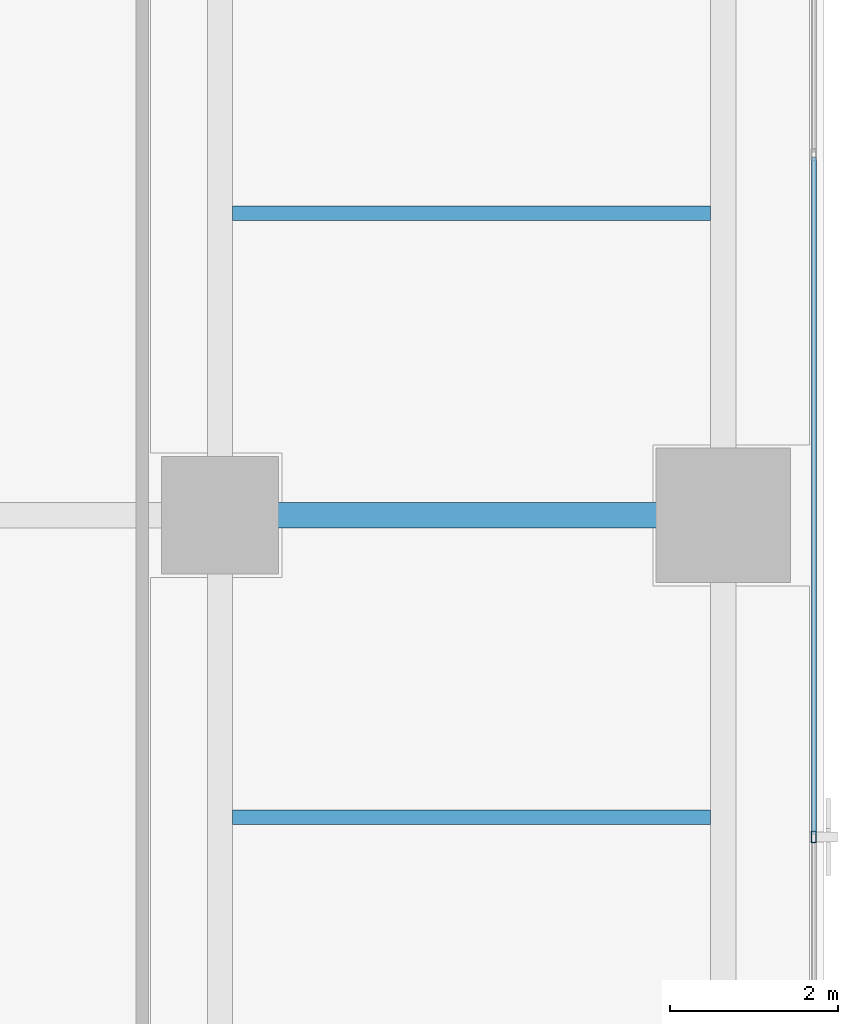
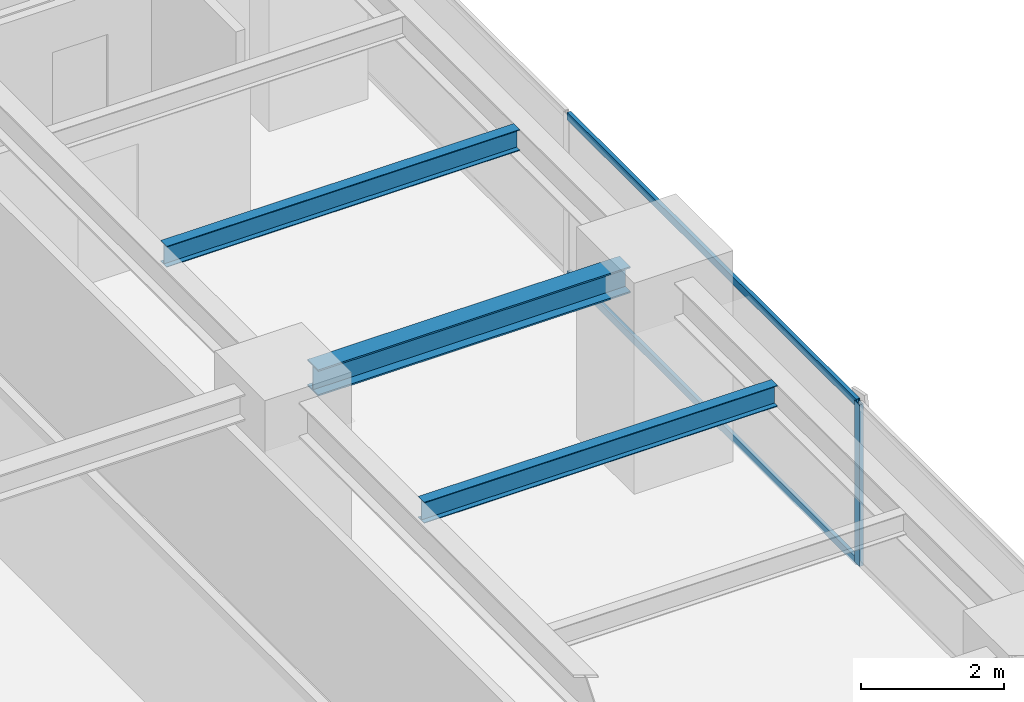
# One storey, part 15 of 29: 3 beams, 3 members, 1 element without a shape of its own.
"""IFC4 building model written with IfcOpenShell, lengths in metres."""

from ifc_helpers import new_model, si_unit, direction, frame, origin, origin_2d, place, context, subcontext, project, spatial, hollow_rectangle, i_section, extrude, source, transform, mapped, material, layer, layer_set, material_profile, profile_set, type_object, element, aggregate, save


model = new_model("IFC4")

# Units and contexts
model_context = context("Model", 3, precision=1e-05, world=origin(), true_north=direction((0.0, 1.0)))
body_context = subcontext(model_context, "Body", "Model", "MODEL_VIEW")
ifc_project = project(units=[si_unit("LENGTHUNIT", "METRE"), si_unit("AREAUNIT", "SQUARE_METRE"), si_unit("VOLUMEUNIT", "CUBIC_METRE"), si_unit("PLANEANGLEUNIT", "RADIAN"), si_unit("MASSUNIT", "GRAM", prefix="KILO")], contexts=[model_context])

# Site, building, storey
site_placement = place(None, origin())
site = spatial("IfcSite", under=ifc_project, at=site_placement, CompositionType="ELEMENT")
building_placement = place(site_placement, origin())
building = spatial("IfcBuilding", under=site, at=building_placement, Name="Sumidabori Civic Tower", CompositionType="ELEMENT")
storey_placement = place(building_placement, frame((0.0, 0.0, 214.39990234375)))
storey = spatial("IfcBuildingStorey", under=building, at=storey_placement, Name="L55", CompositionType="ELEMENT", Elevation=214.39990234375)

# Beams
ifc_material_1 = material(Name="Steel SN490", Category="steel")
ifc_material_profile_1 = material_profile(ifc_material_1, i_section(OverallWidth=0.169921875, OverallDepth=0.360107421875, WebThickness=0.008056640625, FlangeThickness=0.0126953125, at=origin_2d()), Name="IPE 360")
ifc_profile_set_1 = profile_set([ifc_material_profile_1], Name="Steel SN490")
beam_type_1 = type_object("IfcBeamType", Name="BM-JST-360", PredefinedType="JOIST", material=ifc_profile_set_1)
shared_shape_1 = source(origin(), body_context, "Body", "SweptSolid", [
    extrude(i_section(OverallWidth=0.169921875, OverallDepth=0.360107421875, WebThickness=0.008056640625, FlangeThickness=0.0126953125, at=origin_2d()), origin(), (0.0, 0.0, 1.0), 5.699951171875),
])
for number, where, z_axis, x_axis, name in (
    (1, (16.949951171875, -3.60009765625, 3.2001953125), (1.0, 0.0, 0.0), (0.0, 1.0, 0.0), "Outer Bay Floor Joist L55 JSTO-28"),
    (2, (16.949951171875, 3.60009765625, 3.2001953125), (1.0, 0.0, 0.0), (0.0, 1.0, 0.0), "Outer Bay Floor Joist L55 JSTO-30"),
):
    element("IfcBeam", number, at=place(storey_placement, frame(where, z_axis=z_axis, x_axis=x_axis)), inside=storey, type_object=beam_type_1, Name=name, PredefinedType="JOIST", context=body_context, shape_type="MappedRepresentation", body=[
        mapped(shared_shape_1, transform((0.0, 0.0, 0.0), x_axis=(1.0, 0.0, 0.0), y_axis=(0.0, 1.0, 0.0), z_axis=(0.0, 0.0, 1.0), scale=1.0)),
    ])
ifc_material_profile_2 = material_profile(ifc_material_1, i_section(OverallWidth=0.300048828125, OverallDepth=0.449951171875, WebThickness=0.013916015625, FlangeThickness=0.02587890625, at=origin_2d()), Name="HE 450 B")
ifc_profile_set_2 = profile_set([ifc_material_profile_2], Name="Steel SN490")
beam_type_2 = type_object("IfcBeamType", Name="BM-GIRD-450", PredefinedType="BEAM", material=ifc_profile_set_2)
shared_shape_2 = source(origin(), body_context, "Body", "SweptSolid", [
    extrude(i_section(OverallWidth=0.300048828125, OverallDepth=0.449951171875, WebThickness=0.013916015625, FlangeThickness=0.02587890625, at=origin_2d()), origin(), (0.0, 0.0, 1.0), 5.0400390625),
])
beam_placement = place(storey_placement, frame((17.280029296875, 0.0, 3.155029296875), z_axis=(1.0, 0.0, 0.0), x_axis=(0.0, 1.0, 0.0)))
element("IfcBeam", 3, at=beam_placement, inside=storey, type_object=beam_type_2, Name="Primary Girder L55 GX-08", PredefinedType="BEAM", context=body_context, shape_type="MappedRepresentation", body=[
    mapped(shared_shape_2, transform((0.0, 0.0, 0.0), x_axis=(1.0, 0.0, 0.0), y_axis=(0.0, 1.0, 0.0), z_axis=(0.0, 0.0, 1.0), scale=1.0)),
])

# Curtain wall, members
ifc_material_2 = material(Name="Anodised Bronze Aluminium AW-6063-T6", Category="aluminium")
ifc_layer = layer(ifc_material_2, 0.179931640625, Name="Anodised Bronze Aluminium AW-6063-T6")
ifc_layer_set = layer_set([ifc_layer], Name="Anodised Bronze Aluminium AW-6063-T6")
curtain_wall_type = type_object("IfcCurtainWallType", Name="CW-SYS-5", PredefinedType="NOTDEFINED", material=ifc_layer_set)
curtain_wall_placement = place(storey_placement, origin())
curtain_wall = element("IfcCurtainWall", 4, at=curtain_wall_placement, inside=storey, type_object=curtain_wall_type, Name="Curtain Wall CW:L55:R10", PredefinedType="NOTDEFINED")
ifc_material_profile_3 = material_profile(ifc_material_2, hollow_rectangle(XDim=0.06005859375, YDim=0.139892578125, WallThickness=0.0048828125, at=origin_2d()), Name="ALU MULLION 140x60")
ifc_profile_set_3 = profile_set([ifc_material_profile_3], Name="Anodised Bronze Aluminium AW-6063-T6")
member_type_1 = type_object("IfcMemberType", Name="CW-MUL-140", PredefinedType="MULLION", material=ifc_profile_set_3)
shared_shape_3 = source(origin(), body_context, "Body", "SweptSolid", [
    extrude(hollow_rectangle(XDim=0.06005859375, YDim=0.139892578125, WallThickness=0.0048828125, at=origin_2d()), origin(), (0.0, 0.0, 1.0), 2.760009765625),
])
member_1_placement = place(storey_placement, frame((23.8798828125, -3.8349609375, 0.0), z_axis=(0.0, 0.0, 1.0), x_axis=(-1.0, 0.0, 0.0)))
member_1 = element("IfcMember", 5, at=member_1_placement, type_object=member_type_1, Name="CW-5 mullion 2", PredefinedType="MULLION", context=body_context, shape_type="MappedRepresentation", body=[
    mapped(shared_shape_3, transform((0.0, 0.0, 0.0), x_axis=(1.0, 0.0, 0.0), y_axis=(0.0, 1.0, 0.0), z_axis=(0.0, 0.0, 1.0), scale=1.0)),
])
ifc_material_profile_4 = material_profile(ifc_material_2, hollow_rectangle(XDim=0.06005859375, YDim=0.1298828125, WallThickness=0.0048828125, at=origin_2d()), Name="ALU TRANSOM 130x60")
ifc_profile_set_4 = profile_set([ifc_material_profile_4], Name="Anodised Bronze Aluminium AW-6063-T6")
member_type_2 = type_object("IfcMemberType", Name="CW-TRN-130", PredefinedType="USERDEFINED", material=ifc_profile_set_4)
shared_shape_4 = source(origin(), body_context, "Body", "SweptSolid", [
    extrude(hollow_rectangle(XDim=0.06005859375, YDim=0.1298828125, WallThickness=0.0048828125, at=origin_2d()), origin(), (0.0, 0.0, 1.0), 8.074951171875),
])
member_2_placement = place(storey_placement, frame((23.8798828125, -3.804931640625, 0.030029296875), z_axis=(0.0, 1.0, 0.0), x_axis=(-1.0, 0.0, 0.0)))
member_2 = element("IfcMember", 6, at=member_2_placement, type_object=member_type_2, Name="CW-5 transom 2.1", ObjectType="TRANSOM", PredefinedType="USERDEFINED", context=body_context, shape_type="MappedRepresentation", body=[
    mapped(shared_shape_4, transform((0.0, 0.0, 0.0), x_axis=(1.0, 0.0, 0.0), y_axis=(0.0, 1.0, 0.0), z_axis=(0.0, 0.0, 1.0), scale=1.0)),
])
member_3_placement = place(storey_placement, frame((23.8798828125, -3.804931640625, 2.72998046875), z_axis=(0.0, 1.0, 0.0), x_axis=(-1.0, 0.0, 0.0)))
member_3 = element("IfcMember", 7, at=member_3_placement, type_object=member_type_2, Name="CW-5 transom 2.2", ObjectType="TRANSOM", PredefinedType="USERDEFINED", context=body_context, shape_type="MappedRepresentation", body=[
    mapped(shared_shape_4, transform((0.0, 0.0, 0.0), x_axis=(1.0, 0.0, 0.0), y_axis=(0.0, 1.0, 0.0), z_axis=(0.0, 0.0, 1.0), scale=1.0)),
])
aggregate(curtain_wall, [member_1, member_2, member_3])

save(model, "model.ifc")
